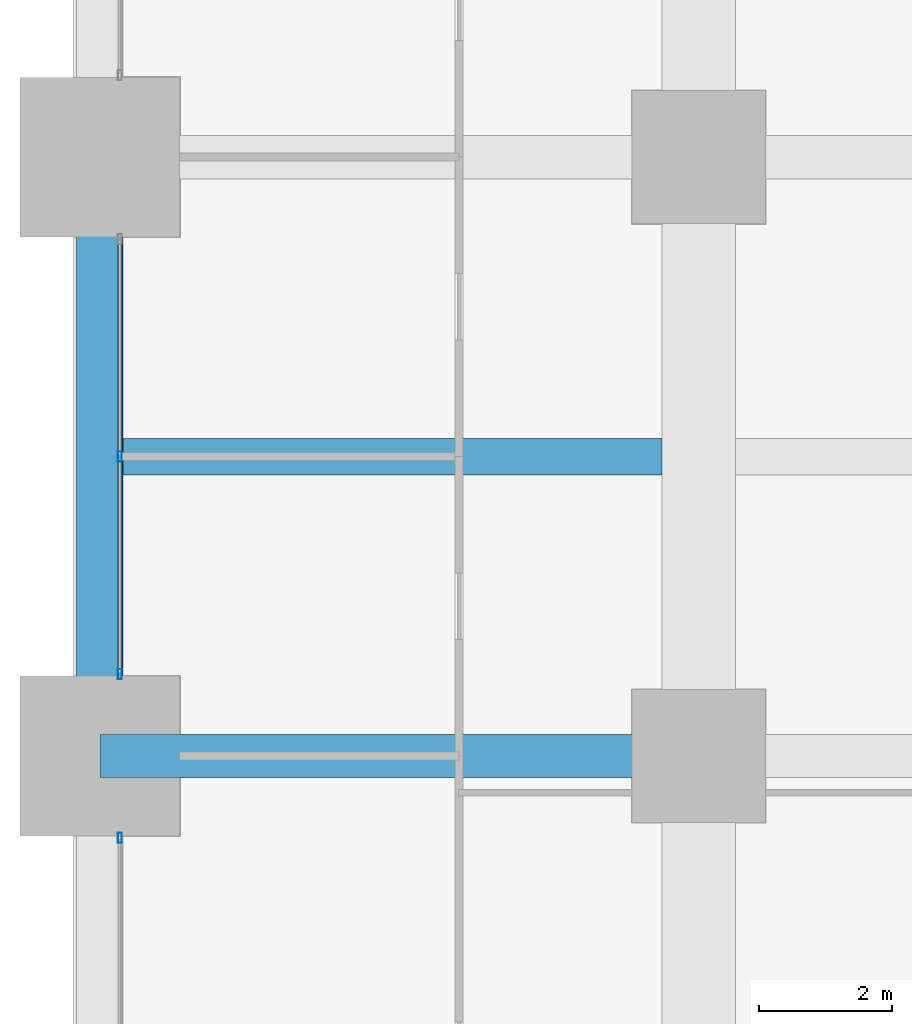
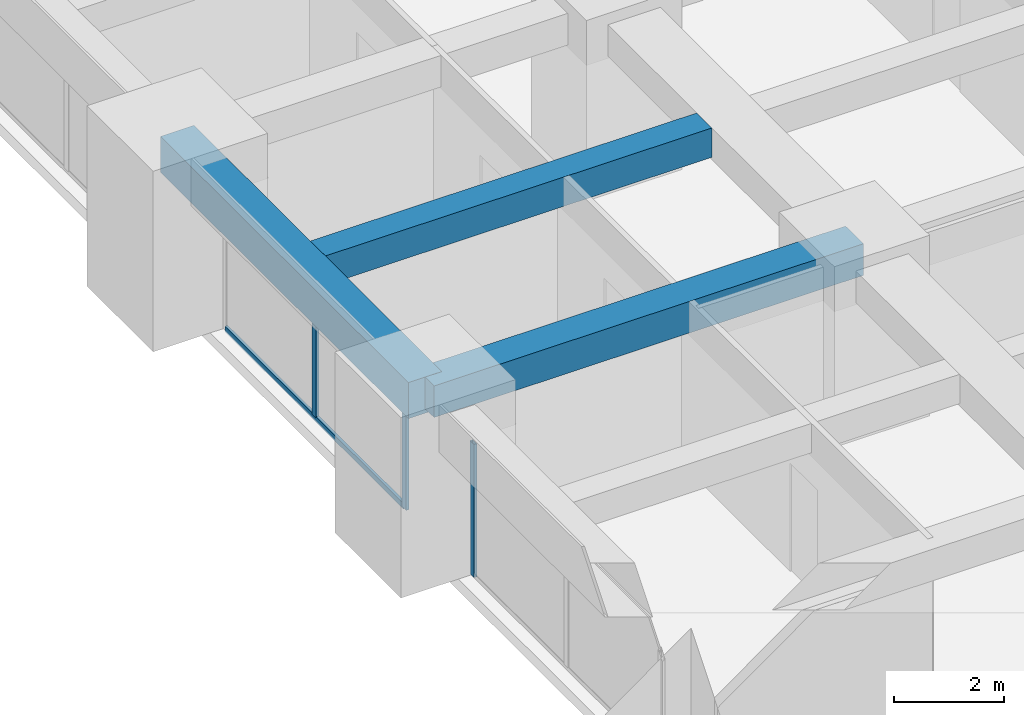
# One storey, part 9 of 41: 4 members, 3 beams, 2 elements without a shape of their own.
"""IFC4 building model written with IfcOpenShell, lengths in metres."""

from ifc_helpers import new_model, si_unit, direction, frame, origin, origin_2d, place, context, subcontext, project, spatial, rectangle, hollow_rectangle, extrude, material, material_profile, profile_set, type_object, element, aggregate, save


model = new_model("IFC4")

# Units and contexts
model_context = context("Model", 3, precision=1e-05, world=origin(), true_north=direction((0.0, 1.0)))
body_context = subcontext(model_context, "Body", "Model", "MODEL_VIEW")
ifc_project = project(units=[si_unit("LENGTHUNIT", "METRE"), si_unit("AREAUNIT", "SQUARE_METRE"), si_unit("VOLUMEUNIT", "CUBIC_METRE"), si_unit("PLANEANGLEUNIT", "RADIAN"), si_unit("MASSUNIT", "GRAM", prefix="KILO")], contexts=[model_context])

# Site, building, storey
site_placement = place(None, origin())
site = spatial("IfcSite", under=ifc_project, at=site_placement, CompositionType="ELEMENT")
building_placement = place(site_placement, origin())
building = spatial("IfcBuilding", under=site, at=building_placement, Name="Zorevar Civic Tower", CompositionType="ELEMENT")
storey_placement = place(building_placement, frame((0.0, 0.0, 109.0)))
storey = spatial("IfcBuildingStorey", under=building, at=storey_placement, Name="L26", CompositionType="ELEMENT", Elevation=109.0)

# Beams
ifc_material_1 = material(Name="Concrete C50/60", Category="concrete")
ifc_material_profile_1 = material_profile(ifc_material_1, rectangle(XDim=0.550048828125, YDim=0.64990234375, at=origin_2d()), Name="RC 550x650")
ifc_profile_set_1 = profile_set([ifc_material_profile_1], Name="Concrete C50/60")
beam_type_1 = type_object("IfcBeamType", Name="Beam RC 550x650", PredefinedType="BEAM", material=ifc_profile_set_1)
beam_1_placement = place(storey_placement, frame((0.35009765625, 22.5, 3.425048828125), z_axis=(1.0, 0.0, 0.0), x_axis=(0.0, 1.0, 0.0)))
element("IfcBeam", 1, at=beam_1_placement, inside=storey, type_object=beam_type_1, Name="Secondary beam L27", PredefinedType="BEAM", context=body_context, shape_type="SweptSolid", body=[
    extrude(rectangle(XDim=0.550048828125, YDim=0.64990234375, at=origin_2d()), origin(), (0.0, 0.0, 1.0), 8.099853515625),
])
ifc_material_2 = material(Name="Concrete C50/60", Category="concrete")
ifc_material_profile_2 = material_profile(ifc_material_2, rectangle(XDim=0.64990234375, YDim=0.699951171875, at=origin_2d()), Name="RC 650x700")
ifc_profile_set_2 = profile_set([ifc_material_profile_2], Name="Concrete C50/60")
beam_type_2 = type_object("IfcBeamType", Name="Beam RC 650x700", PredefinedType="BEAM", material=ifc_profile_set_2)
beam_2_placement = place(storey_placement, frame((0.0, 18.0, 3.39990234375), z_axis=(1.0, 0.0, 0.0), x_axis=(0.0, 1.0, 0.0)))
element("IfcBeam", 2, at=beam_2_placement, inside=storey, type_object=beam_type_2, Name="Girder L27", PredefinedType="BEAM", context=body_context, shape_type="SweptSolid", body=[
    extrude(rectangle(XDim=0.64990234375, YDim=0.699951171875, at=origin_2d()), origin(), (0.0, 0.0, 1.0), 9.0),
])

# Curtain wall, member
ifc_material_3 = material(Name="Dark grey solar-control glass in black aluminium frame", Category="aluminium")
curtain_wall_type = type_object("IfcCurtainWallType", Name="Curtain wall CW3 mid zone", PredefinedType="NOTDEFINED", material=ifc_material_3)
curtain_wall_1_placement = place(storey_placement, origin())
curtain_wall_1 = element("IfcCurtainWall", 3, at=curtain_wall_1_placement, inside=storey, type_object=curtain_wall_type, Name="CW3 L26", PredefinedType="NOTDEFINED")
ifc_material_4 = material(Name="Aluminium, black anodised", Category="aluminium")
ifc_material_profile_3 = material_profile(ifc_material_4, hollow_rectangle(XDim=0.06005859375, YDim=0.14990234375, WallThickness=0.00390625, at=origin_2d()), Name="AL 150x60x4")
ifc_profile_set_3 = profile_set([ifc_material_profile_3], Name="Aluminium, black anodised")
member_type_1 = type_object("IfcMemberType", Name="CW3 mullion AL 150x60x4", PredefinedType="MULLION", material=ifc_profile_set_3)
member_1_placement = place(storey_placement, frame((0.300048828125, 16.77001953125, 0.0), z_axis=(0.0, 0.0, 1.0), x_axis=(-1.0, 0.0, 0.0)))
member_1 = element("IfcMember", 4, at=member_1_placement, type_object=member_type_1, Name="CW3 mullion 3", PredefinedType="MULLION", context=body_context, shape_type="SweptSolid", body=[
    extrude(hollow_rectangle(XDim=0.06005859375, YDim=0.14990234375, WallThickness=0.00390625, at=origin_2d()), origin(), (0.0, 0.0, 1.0), 2.949951171875),
])
aggregate(curtain_wall_1, [member_1])

# Curtain wall, members
curtain_wall_2_placement = place(storey_placement, origin())
curtain_wall_2 = element("IfcCurtainWall", 5, at=curtain_wall_2_placement, inside=storey, type_object=curtain_wall_type, Name="CW3 L26", PredefinedType="NOTDEFINED")
member_2_placement = place(storey_placement, frame((0.300048828125, 19.22998046875, 0.0), z_axis=(0.0, 0.0, 1.0), x_axis=(-1.0, 0.0, 0.0)))
member_2 = element("IfcMember", 6, at=member_2_placement, type_object=member_type_1, Name="CW3 mullion 1", PredefinedType="MULLION", context=body_context, shape_type="SweptSolid", body=[
    extrude(hollow_rectangle(XDim=0.06005859375, YDim=0.14990234375, WallThickness=0.00390625, at=origin_2d()), origin(), (0.0, 0.0, 1.0), 2.949951171875),
])
member_3_placement = place(storey_placement, frame((0.300048828125, 22.5, 0.06005859375), z_axis=(0.0, 0.0, 1.0), x_axis=(-1.0, 0.0, 0.0)))
member_3 = element("IfcMember", 7, at=member_3_placement, type_object=member_type_1, Name="CW3 mullion 2", PredefinedType="MULLION", context=body_context, shape_type="SweptSolid", body=[
    extrude(hollow_rectangle(XDim=0.06005859375, YDim=0.14990234375, WallThickness=0.00390625, at=origin_2d()), origin(), (0.0, 0.0, 1.0), 2.889892578125),
])
ifc_material_5 = material(Name="Aluminium, black anodised", Category="aluminium")
ifc_material_profile_4 = material_profile(ifc_material_5, hollow_rectangle(XDim=0.06005859375, YDim=0.1201171875, WallThickness=0.0029296875, at=origin_2d()), Name="AL 120x60x3")
ifc_profile_set_4 = profile_set([ifc_material_profile_4], Name="Aluminium, black anodised")
member_type_2 = type_object("IfcMemberType", Name="CW3 transom AL 120x60x3", PredefinedType="USERDEFINED", material=ifc_profile_set_4)
member_4_placement = place(storey_placement, frame((0.300048828125, 19.260009765625, 0.030029296875), z_axis=(0.0, 1.0, 0.0), x_axis=(-1.0, 0.0, 0.0)))
member_4 = element("IfcMember", 8, at=member_4_placement, type_object=member_type_2, Name="CW3 sill transom", ObjectType="TRANSOM", PredefinedType="USERDEFINED", context=body_context, shape_type="SweptSolid", body=[
    extrude(hollow_rectangle(XDim=0.06005859375, YDim=0.1201171875, WallThickness=0.0029296875, at=origin_2d()), origin(), (0.0, 0.0, 1.0), 6.47998046875),
])
aggregate(curtain_wall_2, [member_2, member_3, member_4])

# Beam
ifc_material_6 = material(Name="Concrete C50/60", Category="concrete")
ifc_material_profile_5 = material_profile(ifc_material_6, rectangle(XDim=0.699951171875, YDim=0.800048828125, at=origin_2d()), Name="RC 700x800")
ifc_profile_set_5 = profile_set([ifc_material_profile_5], Name="Concrete C50/60")
beam_type_3 = type_object("IfcBeamType", Name="Edge beam RC 700x800", PredefinedType="SPANDREL", material=ifc_profile_set_5)
beam_3_placement = place(storey_placement, frame((0.0, 18.0, 3.35009765625), z_axis=(0.0, 1.0, 0.0), x_axis=(-1.0, 0.0, 0.0)))
element("IfcBeam", 9, at=beam_3_placement, inside=storey, type_object=beam_type_3, Name="Edge beam L27", PredefinedType="SPANDREL", context=body_context, shape_type="SweptSolid", body=[
    extrude(rectangle(XDim=0.699951171875, YDim=0.800048828125, at=origin_2d()), origin(), (0.0, 0.0, 1.0), 9.0),
])

save(model, "model.ifc")
